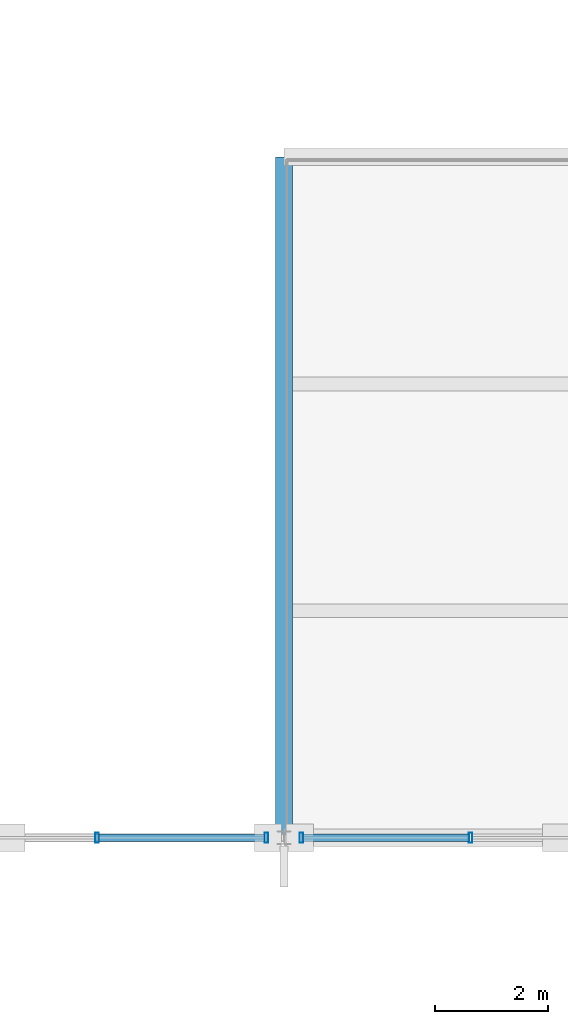
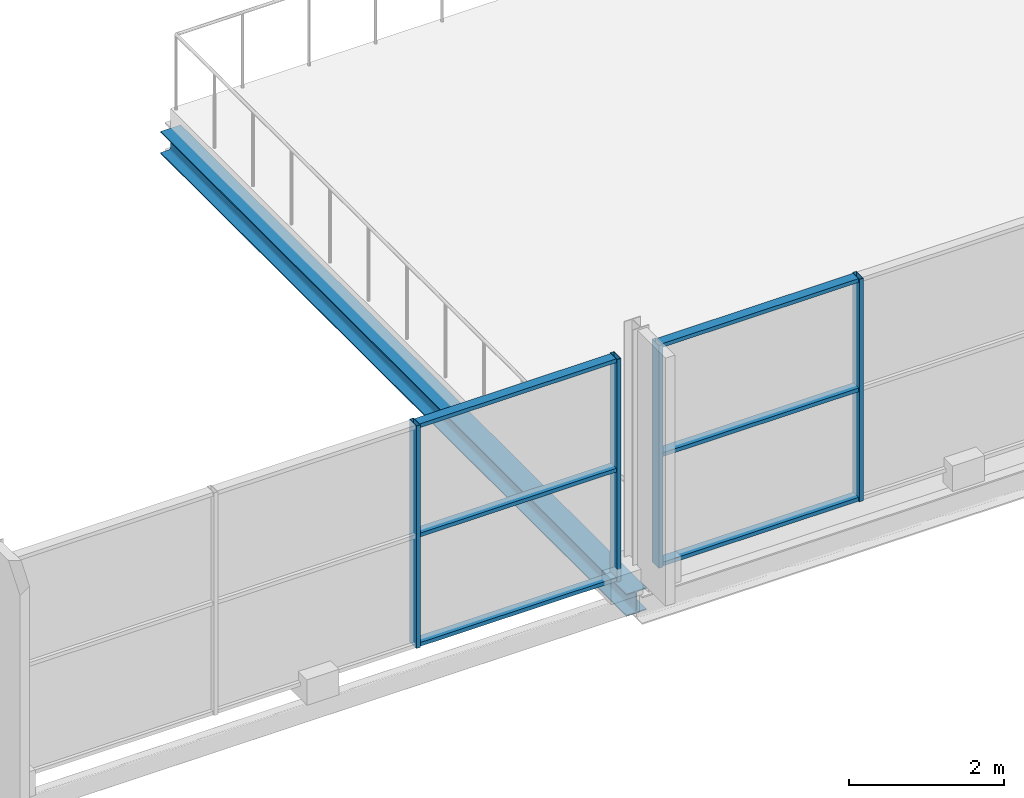
# One storey, part 23 of 117: 10 members, 1 beam, 2 elements without a shape of their own.
"""IFC4 building model written with IfcOpenShell, lengths in metres."""

from ifc_helpers import new_model, si_unit, direction, frame, origin, origin_2d, place, context, subcontext, project, spatial, hollow_rectangle, i_section, extrude, material, material_profile, profile_set, type_object, element, aggregate, save


model = new_model("IFC4")

# Units and contexts
model_context = context("Model", 3, precision=1e-05, world=origin(), true_north=direction((0.0, 1.0)))
body_context = subcontext(model_context, "Body", "Model", "MODEL_VIEW")
ifc_project = project(units=[si_unit("LENGTHUNIT", "METRE"), si_unit("AREAUNIT", "SQUARE_METRE"), si_unit("VOLUMEUNIT", "CUBIC_METRE"), si_unit("PLANEANGLEUNIT", "RADIAN"), si_unit("MASSUNIT", "GRAM", prefix="KILO")], contexts=[model_context])

# Site, building, storey
site_placement = place(None, origin())
site = spatial("IfcSite", under=ifc_project, at=site_placement, CompositionType="ELEMENT")
building_placement = place(site_placement, origin())
building = spatial("IfcBuilding", under=site, at=building_placement, Name="Merenkruunu Market Hall", CompositionType="ELEMENT")
storey_placement = place(building_placement, frame((0.0, 0.0, 10.199951171875)))
storey = spatial("IfcBuildingStorey", under=building, at=storey_placement, Name="L02", CompositionType="ELEMENT", Elevation=10.199951171875)

# Curtain wall, members
ifc_material_1 = material(Name="Powder-coated aluminium", Category="aluminium")
curtain_wall_type = type_object("IfcCurtainWallType", Name="Glazed Curtain Wall CW10", PredefinedType="USERDEFINED", material=ifc_material_1)
curtain_wall_1_placement = place(storey_placement, origin())
curtain_wall_1 = element("IfcCurtainWall", 1, at=curtain_wall_1_placement, inside=storey, type_object=curtain_wall_type, Name="CW-L02-CWM02-024", ObjectType="GLAZED_FACADE", PredefinedType="USERDEFINED")
ifc_material_profile_1 = material_profile(ifc_material_1, hollow_rectangle(XDim=0.06005859375, YDim=0.179931640625, WallThickness=0.00390625, at=origin_2d()), Name="ALU 60x180x4")
ifc_profile_set_1 = profile_set([ifc_material_profile_1], Name="Powder-coated aluminium")
member_type_1 = type_object("IfcMemberType", Name="Curtain Wall Mullion CWM02", PredefinedType="MULLION", material=ifc_profile_set_1)
member_1_placement = place(storey_placement, frame((18.889892578125, 15.60009765625, 0.0), z_axis=(0.0, 0.0, 1.0), x_axis=(-1.0, 0.0, 0.0)))
member_1 = element("IfcMember", 2, at=member_1_placement, type_object=member_type_1, Name="CW10 mullion 1", PredefinedType="MULLION", context=body_context, shape_type="SweptSolid", body=[
    extrude(hollow_rectangle(XDim=0.06005859375, YDim=0.179931640625, WallThickness=0.00390625, at=origin_2d()), origin(), (0.0, 0.0, 1.0), 3.5),
])
member_2_placement = place(storey_placement, frame((15.90673828125, 15.60009765625, 0.0), z_axis=(0.0, 0.0, 1.0), x_axis=(-1.0, 0.0, 0.0)))
member_2 = element("IfcMember", 3, at=member_2_placement, type_object=member_type_1, Name="CW10 mullion 2", PredefinedType="MULLION", context=body_context, shape_type="SweptSolid", body=[
    extrude(hollow_rectangle(XDim=0.06005859375, YDim=0.179931640625, WallThickness=0.00390625, at=origin_2d()), origin(), (0.0, 0.0, 1.0), 3.5),
])

curtain_wall_2_placement = place(storey_placement, origin())
curtain_wall_2 = element("IfcCurtainWall", 4, at=curtain_wall_2_placement, inside=storey, type_object=curtain_wall_type, Name="CW-L02-CWM02-027", ObjectType="GLAZED_FACADE", PredefinedType="USERDEFINED")
member_3_placement = place(storey_placement, frame((22.493408203125, 15.60009765625, 0.0), z_axis=(0.0, 0.0, 1.0), x_axis=(-1.0, 0.0, 0.0)))
member_3 = element("IfcMember", 5, at=member_3_placement, type_object=member_type_1, Name="CW10 mullion 3", PredefinedType="MULLION", context=body_context, shape_type="SweptSolid", body=[
    extrude(hollow_rectangle(XDim=0.06005859375, YDim=0.179931640625, WallThickness=0.00390625, at=origin_2d()), origin(), (0.0, 0.0, 1.0), 3.5),
])
member_4_placement = place(storey_placement, frame((19.510009765625, 15.60009765625, 0.0), z_axis=(0.0, 0.0, 1.0), x_axis=(-1.0, 0.0, 0.0)))
member_4 = element("IfcMember", 6, at=member_4_placement, type_object=member_type_1, Name="CW10 mullion 4", PredefinedType="MULLION", context=body_context, shape_type="SweptSolid", body=[
    extrude(hollow_rectangle(XDim=0.06005859375, YDim=0.179931640625, WallThickness=0.00390625, at=origin_2d()), origin(), (0.0, 0.0, 1.0), 3.5),
])

# Member
ifc_material_profile_2 = material_profile(ifc_material_1, hollow_rectangle(XDim=0.06005859375, YDim=0.139892578125, WallThickness=0.00390625, at=origin_2d()), Name="ALU 60x140x4")
ifc_profile_set_2 = profile_set([ifc_material_profile_2], Name="Powder-coated aluminium")
member_type_2 = type_object("IfcMemberType", Name="Curtain Wall Transom CWT02", PredefinedType="USERDEFINED", material=ifc_profile_set_2)
member_5_placement = place(storey_placement, frame((18.860107421875, 15.60009765625, 0.030029296875), z_axis=(-1.0, 0.0, 0.0), x_axis=(0.0, 0.0, 1.0)))
member_5 = element("IfcMember", 7, at=member_5_placement, type_object=member_type_2, Name="CW10 transom 1.1", ObjectType="TRANSOM", PredefinedType="USERDEFINED", context=body_context, shape_type="SweptSolid", body=[
    extrude(hollow_rectangle(XDim=0.06005859375, YDim=0.139892578125, WallThickness=0.00390625, at=origin_2d()), origin(), (0.0, 0.0, 1.0), 2.92333984375),
])

member_6_placement = place(storey_placement, frame((18.860107421875, 15.60009765625, 1.75), z_axis=(-1.0, 0.0, 0.0), x_axis=(0.0, 0.0, 1.0)))
member_6 = element("IfcMember", 8, at=member_6_placement, type_object=member_type_2, Name="CW10 transom 1.2", ObjectType="TRANSOM", PredefinedType="USERDEFINED", context=body_context, shape_type="SweptSolid", body=[
    extrude(hollow_rectangle(XDim=0.06005859375, YDim=0.139892578125, WallThickness=0.00390625, at=origin_2d()), origin(), (0.0, 0.0, 1.0), 2.92333984375),
])

member_7_placement = place(storey_placement, frame((18.860107421875, 15.60009765625, 3.469970703125), z_axis=(-1.0, 0.0, 0.0), x_axis=(0.0, 0.0, 1.0)))
member_7 = element("IfcMember", 9, at=member_7_placement, type_object=member_type_2, Name="CW10 transom 1.3", ObjectType="TRANSOM", PredefinedType="USERDEFINED", context=body_context, shape_type="SweptSolid", body=[
    extrude(hollow_rectangle(XDim=0.06005859375, YDim=0.139892578125, WallThickness=0.00390625, at=origin_2d()), origin(), (0.0, 0.0, 1.0), 2.92333984375),
])

aggregate(curtain_wall_1, [member_1, member_2, member_5, member_6, member_7])

member_8_placement = place(storey_placement, frame((22.46337890625, 15.60009765625, 0.030029296875), z_axis=(-1.0, 0.0, 0.0), x_axis=(0.0, 0.0, 1.0)))
member_8 = element("IfcMember", 10, at=member_8_placement, type_object=member_type_2, Name="CW10 transom 3.1", ObjectType="TRANSOM", PredefinedType="USERDEFINED", context=body_context, shape_type="SweptSolid", body=[
    extrude(hollow_rectangle(XDim=0.06005859375, YDim=0.139892578125, WallThickness=0.00390625, at=origin_2d()), origin(), (0.0, 0.0, 1.0), 2.92333984375),
])

member_9_placement = place(storey_placement, frame((22.46337890625, 15.60009765625, 1.75), z_axis=(-1.0, 0.0, 0.0), x_axis=(0.0, 0.0, 1.0)))
member_9 = element("IfcMember", 11, at=member_9_placement, type_object=member_type_2, Name="CW10 transom 3.2", ObjectType="TRANSOM", PredefinedType="USERDEFINED", context=body_context, shape_type="SweptSolid", body=[
    extrude(hollow_rectangle(XDim=0.06005859375, YDim=0.139892578125, WallThickness=0.00390625, at=origin_2d()), origin(), (0.0, 0.0, 1.0), 2.92333984375),
])

member_10_placement = place(storey_placement, frame((22.46337890625, 15.60009765625, 3.469970703125), z_axis=(-1.0, 0.0, 0.0), x_axis=(0.0, 0.0, 1.0)))
member_10 = element("IfcMember", 12, at=member_10_placement, type_object=member_type_2, Name="CW10 transom 3.3", ObjectType="TRANSOM", PredefinedType="USERDEFINED", context=body_context, shape_type="SweptSolid", body=[
    extrude(hollow_rectangle(XDim=0.06005859375, YDim=0.139892578125, WallThickness=0.00390625, at=origin_2d()), origin(), (0.0, 0.0, 1.0), 2.92333984375),
])

aggregate(curtain_wall_2, [member_3, member_4, member_8, member_9, member_10])

# Beam
ifc_material_2 = material(Name="Steel S355J2", Category="steel")
ifc_material_profile_3 = material_profile(ifc_material_2, i_section(OverallWidth=0.300048828125, OverallDepth=0.35009765625, WebThickness=0.010009765625, FlangeThickness=0.017578125, FilletRadius=0.027099609375, at=origin_2d()), Name="HEA 360")
ifc_profile_set_3 = profile_set([ifc_material_profile_3], Name="Steel S355J2")
beam_type = type_object("IfcBeamType", Name="Primary Floor Girder B08", PredefinedType="BEAM", material=ifc_profile_set_3)
beam_placement = place(storey_placement, frame((19.199951171875, 15.60009765625, -0.48486328125), z_axis=(0.0, 1.0, 0.0), x_axis=(-1.0, 0.0, 0.0)))
element("IfcBeam", 13, at=beam_placement, inside=storey, type_object=beam_type, Name="BM-L02-B08-0775", PredefinedType="BEAM", context=body_context, shape_type="SweptSolid", body=[
    extrude(i_section(OverallWidth=0.300048828125, OverallDepth=0.35009765625, WebThickness=0.010009765625, FlangeThickness=0.017578125, FilletRadius=0.027099609375, at=origin_2d()), origin(), (0.0, 0.0, 1.0), 12.0),
])

save(model, "model.ifc")
